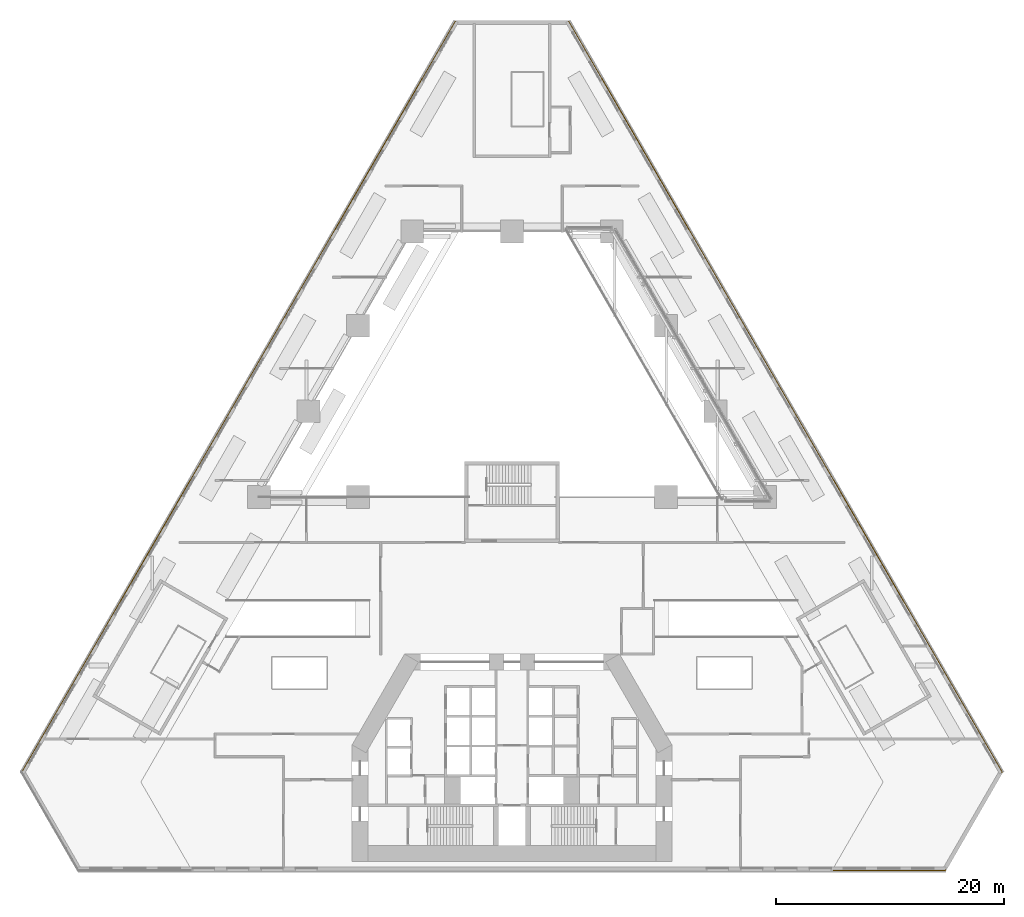
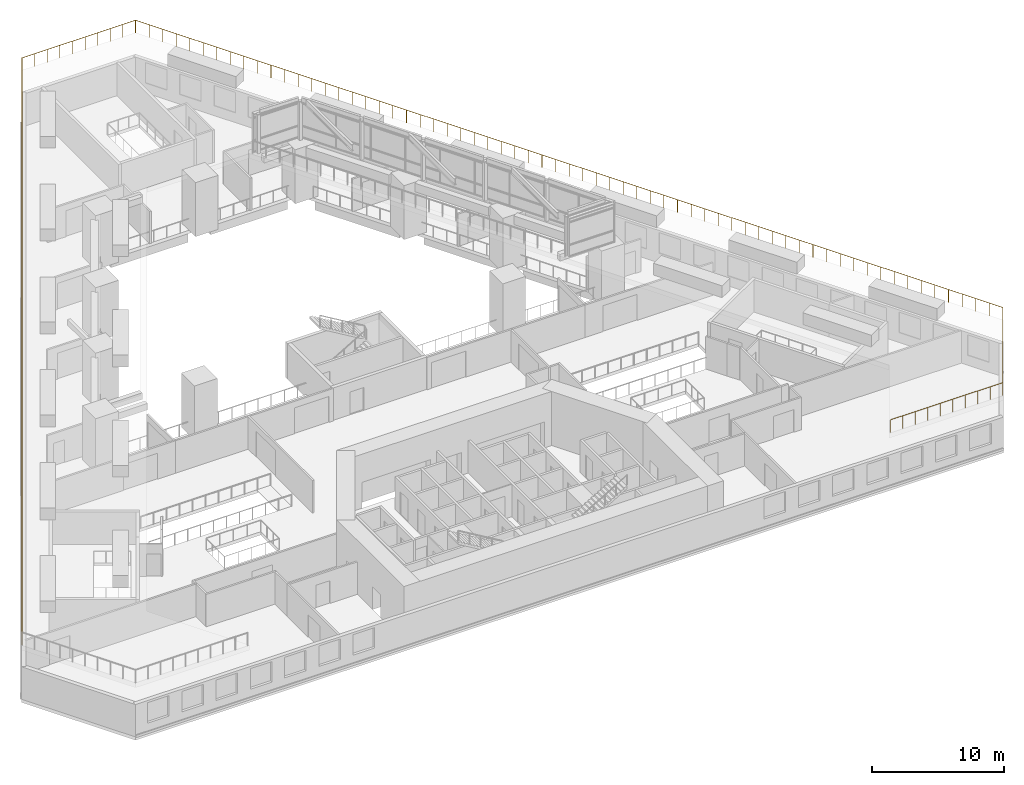
# One storey, part 18 of 19: 1 railing.
"""IFC4 building model written with IfcOpenShell, lengths in metres."""

from ifc_helpers import new_model, si_unit, direction, frame, origin, origin_2d, place, context, subcontext, project, spatial, circle, extrude, material, type_object, element, save


model = new_model("IFC4")

# Units and contexts
model_context = context("Model", 3, precision=1e-05, world=origin(), true_north=direction((0.0, 1.0)))
body_context = subcontext(model_context, "Body", "Model", "MODEL_VIEW")
ifc_project = project(units=[si_unit("LENGTHUNIT", "METRE"), si_unit("AREAUNIT", "SQUARE_METRE"), si_unit("VOLUMEUNIT", "CUBIC_METRE"), si_unit("PLANEANGLEUNIT", "RADIAN"), si_unit("MASSUNIT", "GRAM", prefix="KILO")], contexts=[model_context])

# Site, building, storey
site_placement = place(None, origin())
site = spatial("IfcSite", under=ifc_project, at=site_placement, CompositionType="ELEMENT")
building_placement = place(site_placement, origin())
building = spatial("IfcBuilding", under=site, at=building_placement, Name="Fogline Exchange Tower", CompositionType="ELEMENT")
storey_placement = place(building_placement, frame((0.0, 0.0, 20.0)))
storey = spatial("IfcBuildingStorey", under=building, at=storey_placement, Name="L03", CompositionType="ELEMENT", Elevation=20.0)

# Railing
ifc_material = material(Name="Stainless steel 304", Category="steel")
railing_type = type_object("IfcRailingType", Name="G1", PredefinedType="GUARDRAIL", material=ifc_material)
railing_placement = place(storey_placement, frame((-42.9423828125, 8.660400390625, 5.0)))
element("IfcRailing", 1, at=railing_placement, inside=storey, type_object=railing_type, Name="Guard L04 terrace", PredefinedType="GUARDRAIL", context=body_context, shape_type="SweptSolid", body=[
    extrude(circle(Radius=0.02392578125, at=origin_2d()), frame((0.0, 0.0, 1.17578125), z_axis=(0.500001200095, 0.866024710908, 0.0), x_axis=(-0.866024710908, 0.500001200095, 0.0)), (0.0, 0.0, 1.0), 75.942138671875),
    extrude(circle(Radius=0.02392578125, at=origin_2d()), frame((37.97119140625, 65.767822265625, 1.17578125), z_axis=(1.0, 0.0, 0.0), x_axis=(0.0, 1.0, 0.0)), (0.0, 0.0, 1.0), 9.9423828125),
    extrude(circle(Radius=0.02392578125, at=origin_2d()), frame((47.91357421875, 65.767822265625, 1.17578125), z_axis=(0.500001200095, -0.866024710908, 0.0), x_axis=(0.866024710908, 0.500001200095, 0.0)), (0.0, 0.0, 1.0), 75.942138671875),
    extrude(circle(Radius=0.02392578125, at=origin_2d()), frame((85.884765625, 0.0, 1.17578125), z_axis=(-0.500000197173, -0.866025289947, 0.0), x_axis=(0.866025289947, -0.500000197173, 0.0)), (0.0, 0.0, 1.0), 9.9423828125),
    extrude(circle(Radius=0.02392578125, at=origin_2d()), frame((80.91357421875, -8.6103515625, 1.17578125), z_axis=(-1.0, 0.0, 0.0), x_axis=(0.0, -1.0, 0.0)), (0.0, 0.0, 1.0), 9.826904296875),
    extrude(circle(Radius=0.02099609375, at=origin_2d()), origin(), (0.0, 0.0, 1.0), 1.15185546875),
    extrude(circle(Radius=0.02099609375, at=origin_2d()), frame((0.59326171875, 1.027587890625, 0.0)), (0.0, 0.0, 1.0), 1.15185546875),
    extrude(circle(Radius=0.02099609375, at=origin_2d()), frame((1.1865234375, 2.05517578125, 0.0)), (0.0, 0.0, 1.0), 1.15185546875),
    extrude(circle(Radius=0.02099609375, at=origin_2d()), frame((1.77978515625, 3.082763671875, 0.0)), (0.0, 0.0, 1.0), 1.15185546875),
    extrude(circle(Radius=0.02099609375, at=origin_2d()), frame((2.373291015625, 4.110595703125, 0.0)), (0.0, 0.0, 1.0), 1.15185546875),
    extrude(circle(Radius=0.02099609375, at=origin_2d()), frame((2.966552734375, 5.13818359375, 0.0)), (0.0, 0.0, 1.0), 1.15185546875),
    extrude(circle(Radius=0.02099609375, at=origin_2d()), frame((3.559814453125, 6.165771484375, 0.0)), (0.0, 0.0, 1.0), 1.15185546875),
    extrude(circle(Radius=0.02099609375, at=origin_2d()), frame((4.153076171875, 7.193359375, 0.0)), (0.0, 0.0, 1.0), 1.15185546875),
    extrude(circle(Radius=0.02099609375, at=origin_2d()), frame((4.746337890625, 8.220947265625, 0.0)), (0.0, 0.0, 1.0), 1.15185546875),
    extrude(circle(Radius=0.02099609375, at=origin_2d()), frame((5.339599609375, 9.24853515625, 0.0)), (0.0, 0.0, 1.0), 1.15185546875),
    extrude(circle(Radius=0.02099609375, at=origin_2d()), frame((5.93310546875, 10.276123046875, 0.0)), (0.0, 0.0, 1.0), 1.15185546875),
    extrude(circle(Radius=0.02099609375, at=origin_2d()), frame((6.5263671875, 11.303955078125, 0.0)), (0.0, 0.0, 1.0), 1.15185546875),
    extrude(circle(Radius=0.02099609375, at=origin_2d()), frame((7.11962890625, 12.33154296875, 0.0)), (0.0, 0.0, 1.0), 1.15185546875),
    extrude(circle(Radius=0.02099609375, at=origin_2d()), frame((7.712890625, 13.359130859375, 0.0)), (0.0, 0.0, 1.0), 1.15185546875),
    extrude(circle(Radius=0.02099609375, at=origin_2d()), frame((8.30615234375, 14.38671875, 0.0)), (0.0, 0.0, 1.0), 1.15185546875),
    extrude(circle(Radius=0.02099609375, at=origin_2d()), frame((8.8994140625, 15.414306640625, 0.0)), (0.0, 0.0, 1.0), 1.15185546875),
    extrude(circle(Radius=0.02099609375, at=origin_2d()), frame((9.49267578125, 16.44189453125, 0.0)), (0.0, 0.0, 1.0), 1.15185546875),
    extrude(circle(Radius=0.02099609375, at=origin_2d()), frame((10.086181640625, 17.469482421875, 0.0)), (0.0, 0.0, 1.0), 1.15185546875),
    extrude(circle(Radius=0.02099609375, at=origin_2d()), frame((10.679443359375, 18.497314453125, 0.0)), (0.0, 0.0, 1.0), 1.15185546875),
    extrude(circle(Radius=0.02099609375, at=origin_2d()), frame((11.272705078125, 19.52490234375, 0.0)), (0.0, 0.0, 1.0), 1.15185546875),
    extrude(circle(Radius=0.02099609375, at=origin_2d()), frame((11.865966796875, 20.552490234375, 0.0)), (0.0, 0.0, 1.0), 1.15185546875),
    extrude(circle(Radius=0.02099609375, at=origin_2d()), frame((12.459228515625, 21.580078125, 0.0)), (0.0, 0.0, 1.0), 1.15185546875),
    extrude(circle(Radius=0.02099609375, at=origin_2d()), frame((13.052490234375, 22.607666015625, 0.0)), (0.0, 0.0, 1.0), 1.15185546875),
    extrude(circle(Radius=0.02099609375, at=origin_2d()), frame((13.64599609375, 23.63525390625, 0.0)), (0.0, 0.0, 1.0), 1.15185546875),
    extrude(circle(Radius=0.02099609375, at=origin_2d()), frame((14.2392578125, 24.662841796875, 0.0)), (0.0, 0.0, 1.0), 1.15185546875),
    extrude(circle(Radius=0.02099609375, at=origin_2d()), frame((14.83251953125, 25.690673828125, 0.0)), (0.0, 0.0, 1.0), 1.15185546875),
    extrude(circle(Radius=0.02099609375, at=origin_2d()), frame((15.42578125, 26.71826171875, 0.0)), (0.0, 0.0, 1.0), 1.15185546875),
    extrude(circle(Radius=0.02099609375, at=origin_2d()), frame((16.01904296875, 27.745849609375, 0.0)), (0.0, 0.0, 1.0), 1.15185546875),
    extrude(circle(Radius=0.02099609375, at=origin_2d()), frame((16.6123046875, 28.7734375, 0.0)), (0.0, 0.0, 1.0), 1.15185546875),
    extrude(circle(Radius=0.02099609375, at=origin_2d()), frame((17.205810546875, 29.801025390625, 0.0)), (0.0, 0.0, 1.0), 1.15185546875),
    extrude(circle(Radius=0.02099609375, at=origin_2d()), frame((17.799072265625, 30.82861328125, 0.0)), (0.0, 0.0, 1.0), 1.15185546875),
    extrude(circle(Radius=0.02099609375, at=origin_2d()), frame((18.392333984375, 31.856201171875, 0.0)), (0.0, 0.0, 1.0), 1.15185546875),
    extrude(circle(Radius=0.02099609375, at=origin_2d()), frame((18.985595703125, 32.8837890625, 0.0)), (0.0, 0.0, 1.0), 1.15185546875),
    extrude(circle(Radius=0.02099609375, at=origin_2d()), frame((19.578857421875, 33.91162109375, 0.0)), (0.0, 0.0, 1.0), 1.15185546875),
    extrude(circle(Radius=0.02099609375, at=origin_2d()), frame((20.172119140625, 34.939208984375, 0.0)), (0.0, 0.0, 1.0), 1.15185546875),
    extrude(circle(Radius=0.02099609375, at=origin_2d()), frame((20.765380859375, 35.966796875, 0.0)), (0.0, 0.0, 1.0), 1.15185546875),
    extrude(circle(Radius=0.02099609375, at=origin_2d()), frame((21.35888671875, 36.994384765625, 0.0)), (0.0, 0.0, 1.0), 1.15185546875),
    extrude(circle(Radius=0.02099609375, at=origin_2d()), frame((21.9521484375, 38.02197265625, 0.0)), (0.0, 0.0, 1.0), 1.15185546875),
    extrude(circle(Radius=0.02099609375, at=origin_2d()), frame((22.54541015625, 39.049560546875, 0.0)), (0.0, 0.0, 1.0), 1.15185546875),
    extrude(circle(Radius=0.02099609375, at=origin_2d()), frame((23.138671875, 40.0771484375, 0.0)), (0.0, 0.0, 1.0), 1.15185546875),
    extrude(circle(Radius=0.02099609375, at=origin_2d()), frame((23.73193359375, 41.10498046875, 0.0)), (0.0, 0.0, 1.0), 1.15185546875),
    extrude(circle(Radius=0.02099609375, at=origin_2d()), frame((24.3251953125, 42.132568359375, 0.0)), (0.0, 0.0, 1.0), 1.15185546875),
    extrude(circle(Radius=0.02099609375, at=origin_2d()), frame((24.918701171875, 43.16015625, 0.0)), (0.0, 0.0, 1.0), 1.15185546875),
    extrude(circle(Radius=0.02099609375, at=origin_2d()), frame((25.511962890625, 44.187744140625, 0.0)), (0.0, 0.0, 1.0), 1.15185546875),
    extrude(circle(Radius=0.02099609375, at=origin_2d()), frame((26.105224609375, 45.21533203125, 0.0)), (0.0, 0.0, 1.0), 1.15185546875),
    extrude(circle(Radius=0.02099609375, at=origin_2d()), frame((26.698486328125, 46.242919921875, 0.0)), (0.0, 0.0, 1.0), 1.15185546875),
    extrude(circle(Radius=0.02099609375, at=origin_2d()), frame((27.291748046875, 47.2705078125, 0.0)), (0.0, 0.0, 1.0), 1.15185546875),
    extrude(circle(Radius=0.02099609375, at=origin_2d()), frame((27.885009765625, 48.29833984375, 0.0)), (0.0, 0.0, 1.0), 1.15185546875),
    extrude(circle(Radius=0.02099609375, at=origin_2d()), frame((28.478515625, 49.325927734375, 0.0)), (0.0, 0.0, 1.0), 1.15185546875),
    extrude(circle(Radius=0.02099609375, at=origin_2d()), frame((29.07177734375, 50.353515625, 0.0)), (0.0, 0.0, 1.0), 1.15185546875),
    extrude(circle(Radius=0.02099609375, at=origin_2d()), frame((29.6650390625, 51.381103515625, 0.0)), (0.0, 0.0, 1.0), 1.15185546875),
    extrude(circle(Radius=0.02099609375, at=origin_2d()), frame((30.25830078125, 52.40869140625, 0.0)), (0.0, 0.0, 1.0), 1.15185546875),
    extrude(circle(Radius=0.02099609375, at=origin_2d()), frame((30.8515625, 53.436279296875, 0.0)), (0.0, 0.0, 1.0), 1.15185546875),
    extrude(circle(Radius=0.02099609375, at=origin_2d()), frame((31.44482421875, 54.4638671875, 0.0)), (0.0, 0.0, 1.0), 1.15185546875),
    extrude(circle(Radius=0.02099609375, at=origin_2d()), frame((32.0380859375, 55.49169921875, 0.0)), (0.0, 0.0, 1.0), 1.15185546875),
    extrude(circle(Radius=0.02099609375, at=origin_2d()), frame((32.631591796875, 56.519287109375, 0.0)), (0.0, 0.0, 1.0), 1.15185546875),
    extrude(circle(Radius=0.02099609375, at=origin_2d()), frame((33.224853515625, 57.546875, 0.0)), (0.0, 0.0, 1.0), 1.15185546875),
    extrude(circle(Radius=0.02099609375, at=origin_2d()), frame((33.818115234375, 58.574462890625, 0.0)), (0.0, 0.0, 1.0), 1.15185546875),
    extrude(circle(Radius=0.02099609375, at=origin_2d()), frame((34.411376953125, 59.60205078125, 0.0)), (0.0, 0.0, 1.0), 1.15185546875),
    extrude(circle(Radius=0.02099609375, at=origin_2d()), frame((35.004638671875, 60.629638671875, 0.0)), (0.0, 0.0, 1.0), 1.15185546875),
    extrude(circle(Radius=0.02099609375, at=origin_2d()), frame((35.597900390625, 61.6572265625, 0.0)), (0.0, 0.0, 1.0), 1.15185546875),
    extrude(circle(Radius=0.02099609375, at=origin_2d()), frame((36.19140625, 62.68505859375, 0.0)), (0.0, 0.0, 1.0), 1.15185546875),
    extrude(circle(Radius=0.02099609375, at=origin_2d()), frame((36.78466796875, 63.712646484375, 0.0)), (0.0, 0.0, 1.0), 1.15185546875),
    extrude(circle(Radius=0.02099609375, at=origin_2d()), frame((37.3779296875, 64.740234375, 0.0)), (0.0, 0.0, 1.0), 1.15185546875),
    extrude(circle(Radius=0.02099609375, at=origin_2d()), frame((37.97119140625, 65.767822265625, 0.0)), (0.0, 0.0, 1.0), 1.15185546875),
    extrude(circle(Radius=0.02099609375, at=origin_2d()), frame((39.075927734375, 65.767822265625, 0.0)), (0.0, 0.0, 1.0), 1.15185546875),
    extrude(circle(Radius=0.02099609375, at=origin_2d()), frame((40.1806640625, 65.767822265625, 0.0)), (0.0, 0.0, 1.0), 1.15185546875),
    extrude(circle(Radius=0.02099609375, at=origin_2d()), frame((41.285400390625, 65.767822265625, 0.0)), (0.0, 0.0, 1.0), 1.15185546875),
    extrude(circle(Radius=0.02099609375, at=origin_2d()), frame((42.39013671875, 65.767822265625, 0.0)), (0.0, 0.0, 1.0), 1.15185546875),
    extrude(circle(Radius=0.02099609375, at=origin_2d()), frame((43.49462890625, 65.767822265625, 0.0)), (0.0, 0.0, 1.0), 1.15185546875),
    extrude(circle(Radius=0.02099609375, at=origin_2d()), frame((44.599365234375, 65.767822265625, 0.0)), (0.0, 0.0, 1.0), 1.15185546875),
    extrude(circle(Radius=0.02099609375, at=origin_2d()), frame((45.7041015625, 65.767822265625, 0.0)), (0.0, 0.0, 1.0), 1.15185546875),
    extrude(circle(Radius=0.02099609375, at=origin_2d()), frame((46.808837890625, 65.767822265625, 0.0)), (0.0, 0.0, 1.0), 1.15185546875),
    extrude(circle(Radius=0.02099609375, at=origin_2d()), frame((47.91357421875, 65.767822265625, 0.0)), (0.0, 0.0, 1.0), 1.15185546875),
    extrude(circle(Radius=0.02099609375, at=origin_2d()), frame((48.5068359375, 64.740234375, 0.0)), (0.0, 0.0, 1.0), 1.15185546875),
    extrude(circle(Radius=0.02099609375, at=origin_2d()), frame((49.10009765625, 63.712646484375, 0.0)), (0.0, 0.0, 1.0), 1.15185546875),
    extrude(circle(Radius=0.02099609375, at=origin_2d()), frame((49.693359375, 62.68505859375, 0.0)), (0.0, 0.0, 1.0), 1.15185546875),
    extrude(circle(Radius=0.02099609375, at=origin_2d()), frame((50.286865234375, 61.6572265625, 0.0)), (0.0, 0.0, 1.0), 1.15185546875),
    extrude(circle(Radius=0.02099609375, at=origin_2d()), frame((50.880126953125, 60.629638671875, 0.0)), (0.0, 0.0, 1.0), 1.15185546875),
    extrude(circle(Radius=0.02099609375, at=origin_2d()), frame((51.473388671875, 59.60205078125, 0.0)), (0.0, 0.0, 1.0), 1.15185546875),
    extrude(circle(Radius=0.02099609375, at=origin_2d()), frame((52.066650390625, 58.574462890625, 0.0)), (0.0, 0.0, 1.0), 1.15185546875),
    extrude(circle(Radius=0.02099609375, at=origin_2d()), frame((52.659912109375, 57.546875, 0.0)), (0.0, 0.0, 1.0), 1.15185546875),
    extrude(circle(Radius=0.02099609375, at=origin_2d()), frame((53.253173828125, 56.519287109375, 0.0)), (0.0, 0.0, 1.0), 1.15185546875),
    extrude(circle(Radius=0.02099609375, at=origin_2d()), frame((53.8466796875, 55.49169921875, 0.0)), (0.0, 0.0, 1.0), 1.15185546875),
    extrude(circle(Radius=0.02099609375, at=origin_2d()), frame((54.43994140625, 54.4638671875, 0.0)), (0.0, 0.0, 1.0), 1.15185546875),
    extrude(circle(Radius=0.02099609375, at=origin_2d()), frame((55.033203125, 53.436279296875, 0.0)), (0.0, 0.0, 1.0), 1.15185546875),
    extrude(circle(Radius=0.02099609375, at=origin_2d()), frame((55.62646484375, 52.40869140625, 0.0)), (0.0, 0.0, 1.0), 1.15185546875),
    extrude(circle(Radius=0.02099609375, at=origin_2d()), frame((56.2197265625, 51.381103515625, 0.0)), (0.0, 0.0, 1.0), 1.15185546875),
    extrude(circle(Radius=0.02099609375, at=origin_2d()), frame((56.81298828125, 50.353515625, 0.0)), (0.0, 0.0, 1.0), 1.15185546875),
    extrude(circle(Radius=0.02099609375, at=origin_2d()), frame((57.40625, 49.325927734375, 0.0)), (0.0, 0.0, 1.0), 1.15185546875),
    extrude(circle(Radius=0.02099609375, at=origin_2d()), frame((57.999755859375, 48.29833984375, 0.0)), (0.0, 0.0, 1.0), 1.15185546875),
    extrude(circle(Radius=0.02099609375, at=origin_2d()), frame((58.593017578125, 47.2705078125, 0.0)), (0.0, 0.0, 1.0), 1.15185546875),
    extrude(circle(Radius=0.02099609375, at=origin_2d()), frame((59.186279296875, 46.242919921875, 0.0)), (0.0, 0.0, 1.0), 1.15185546875),
    extrude(circle(Radius=0.02099609375, at=origin_2d()), frame((59.779541015625, 45.21533203125, 0.0)), (0.0, 0.0, 1.0), 1.15185546875),
    extrude(circle(Radius=0.02099609375, at=origin_2d()), frame((60.372802734375, 44.187744140625, 0.0)), (0.0, 0.0, 1.0), 1.15185546875),
    extrude(circle(Radius=0.02099609375, at=origin_2d()), frame((60.966064453125, 43.16015625, 0.0)), (0.0, 0.0, 1.0), 1.15185546875),
    extrude(circle(Radius=0.02099609375, at=origin_2d()), frame((61.5595703125, 42.132568359375, 0.0)), (0.0, 0.0, 1.0), 1.15185546875),
    extrude(circle(Radius=0.02099609375, at=origin_2d()), frame((62.15283203125, 41.10498046875, 0.0)), (0.0, 0.0, 1.0), 1.15185546875),
    extrude(circle(Radius=0.02099609375, at=origin_2d()), frame((62.74609375, 40.0771484375, 0.0)), (0.0, 0.0, 1.0), 1.15185546875),
    extrude(circle(Radius=0.02099609375, at=origin_2d()), frame((63.33935546875, 39.049560546875, 0.0)), (0.0, 0.0, 1.0), 1.15185546875),
    extrude(circle(Radius=0.02099609375, at=origin_2d()), frame((63.9326171875, 38.02197265625, 0.0)), (0.0, 0.0, 1.0), 1.15185546875),
    extrude(circle(Radius=0.02099609375, at=origin_2d()), frame((64.52587890625, 36.994384765625, 0.0)), (0.0, 0.0, 1.0), 1.15185546875),
    extrude(circle(Radius=0.02099609375, at=origin_2d()), frame((65.119384765625, 35.966796875, 0.0)), (0.0, 0.0, 1.0), 1.15185546875),
    extrude(circle(Radius=0.02099609375, at=origin_2d()), frame((65.712646484375, 34.939208984375, 0.0)), (0.0, 0.0, 1.0), 1.15185546875),
    extrude(circle(Radius=0.02099609375, at=origin_2d()), frame((66.305908203125, 33.91162109375, 0.0)), (0.0, 0.0, 1.0), 1.15185546875),
    extrude(circle(Radius=0.02099609375, at=origin_2d()), frame((66.899169921875, 32.8837890625, 0.0)), (0.0, 0.0, 1.0), 1.15185546875),
    extrude(circle(Radius=0.02099609375, at=origin_2d()), frame((67.492431640625, 31.856201171875, 0.0)), (0.0, 0.0, 1.0), 1.15185546875),
    extrude(circle(Radius=0.02099609375, at=origin_2d()), frame((68.085693359375, 30.82861328125, 0.0)), (0.0, 0.0, 1.0), 1.15185546875),
    extrude(circle(Radius=0.02099609375, at=origin_2d()), frame((68.678955078125, 29.801025390625, 0.0)), (0.0, 0.0, 1.0), 1.15185546875),
    extrude(circle(Radius=0.02099609375, at=origin_2d()), frame((69.2724609375, 28.7734375, 0.0)), (0.0, 0.0, 1.0), 1.15185546875),
    extrude(circle(Radius=0.02099609375, at=origin_2d()), frame((69.86572265625, 27.745849609375, 0.0)), (0.0, 0.0, 1.0), 1.15185546875),
    extrude(circle(Radius=0.02099609375, at=origin_2d()), frame((70.458984375, 26.71826171875, 0.0)), (0.0, 0.0, 1.0), 1.15185546875),
    extrude(circle(Radius=0.02099609375, at=origin_2d()), frame((71.05224609375, 25.690673828125, 0.0)), (0.0, 0.0, 1.0), 1.15185546875),
    extrude(circle(Radius=0.02099609375, at=origin_2d()), frame((71.6455078125, 24.662841796875, 0.0)), (0.0, 0.0, 1.0), 1.15185546875),
    extrude(circle(Radius=0.02099609375, at=origin_2d()), frame((72.23876953125, 23.63525390625, 0.0)), (0.0, 0.0, 1.0), 1.15185546875),
    extrude(circle(Radius=0.02099609375, at=origin_2d()), frame((72.832275390625, 22.607666015625, 0.0)), (0.0, 0.0, 1.0), 1.15185546875),
    extrude(circle(Radius=0.02099609375, at=origin_2d()), frame((73.425537109375, 21.580078125, 0.0)), (0.0, 0.0, 1.0), 1.15185546875),
    extrude(circle(Radius=0.02099609375, at=origin_2d()), frame((74.018798828125, 20.552490234375, 0.0)), (0.0, 0.0, 1.0), 1.15185546875),
    extrude(circle(Radius=0.02099609375, at=origin_2d()), frame((74.612060546875, 19.52490234375, 0.0)), (0.0, 0.0, 1.0), 1.15185546875),
    extrude(circle(Radius=0.02099609375, at=origin_2d()), frame((75.205322265625, 18.497314453125, 0.0)), (0.0, 0.0, 1.0), 1.15185546875),
    extrude(circle(Radius=0.02099609375, at=origin_2d()), frame((75.798583984375, 17.469482421875, 0.0)), (0.0, 0.0, 1.0), 1.15185546875),
    extrude(circle(Radius=0.02099609375, at=origin_2d()), frame((76.39208984375, 16.44189453125, 0.0)), (0.0, 0.0, 1.0), 1.15185546875),
    extrude(circle(Radius=0.02099609375, at=origin_2d()), frame((76.9853515625, 15.414306640625, 0.0)), (0.0, 0.0, 1.0), 1.15185546875),
    extrude(circle(Radius=0.02099609375, at=origin_2d()), frame((77.57861328125, 14.38671875, 0.0)), (0.0, 0.0, 1.0), 1.15185546875),
    extrude(circle(Radius=0.02099609375, at=origin_2d()), frame((78.171875, 13.359130859375, 0.0)), (0.0, 0.0, 1.0), 1.15185546875),
    extrude(circle(Radius=0.02099609375, at=origin_2d()), frame((78.76513671875, 12.33154296875, 0.0)), (0.0, 0.0, 1.0), 1.15185546875),
    extrude(circle(Radius=0.02099609375, at=origin_2d()), frame((79.3583984375, 11.303955078125, 0.0)), (0.0, 0.0, 1.0), 1.15185546875),
    extrude(circle(Radius=0.02099609375, at=origin_2d()), frame((79.95166015625, 10.276123046875, 0.0)), (0.0, 0.0, 1.0), 1.15185546875),
    extrude(circle(Radius=0.02099609375, at=origin_2d()), frame((80.545166015625, 9.24853515625, 0.0)), (0.0, 0.0, 1.0), 1.15185546875),
    extrude(circle(Radius=0.02099609375, at=origin_2d()), frame((81.138427734375, 8.220947265625, 0.0)), (0.0, 0.0, 1.0), 1.15185546875),
    extrude(circle(Radius=0.02099609375, at=origin_2d()), frame((81.731689453125, 7.193359375, 0.0)), (0.0, 0.0, 1.0), 1.15185546875),
    extrude(circle(Radius=0.02099609375, at=origin_2d()), frame((82.324951171875, 6.165771484375, 0.0)), (0.0, 0.0, 1.0), 1.15185546875),
    extrude(circle(Radius=0.02099609375, at=origin_2d()), frame((82.918212890625, 5.13818359375, 0.0)), (0.0, 0.0, 1.0), 1.15185546875),
    extrude(circle(Radius=0.02099609375, at=origin_2d()), frame((83.511474609375, 4.110595703125, 0.0)), (0.0, 0.0, 1.0), 1.15185546875),
    extrude(circle(Radius=0.02099609375, at=origin_2d()), frame((84.10498046875, 3.082763671875, 0.0)), (0.0, 0.0, 1.0), 1.15185546875),
    extrude(circle(Radius=0.02099609375, at=origin_2d()), frame((84.6982421875, 2.05517578125, 0.0)), (0.0, 0.0, 1.0), 1.15185546875),
    extrude(circle(Radius=0.02099609375, at=origin_2d()), frame((85.29150390625, 1.027587890625, 0.0)), (0.0, 0.0, 1.0), 1.15185546875),
    extrude(circle(Radius=0.02099609375, at=origin_2d()), frame((85.884765625, 0.0, 0.0)), (0.0, 0.0, 1.0), 1.15185546875),
    extrude(circle(Radius=0.02099609375, at=origin_2d()), frame((85.33251953125, -0.956787109375, 0.0)), (0.0, 0.0, 1.0), 1.15185546875),
    extrude(circle(Radius=0.02099609375, at=origin_2d()), frame((84.780029296875, -1.913330078125, 0.0)), (0.0, 0.0, 1.0), 1.15185546875),
    extrude(circle(Radius=0.02099609375, at=origin_2d()), frame((84.227783203125, -2.8701171875, 0.0)), (0.0, 0.0, 1.0), 1.15185546875),
    extrude(circle(Radius=0.02099609375, at=origin_2d()), frame((83.67529296875, -3.826904296875, 0.0)), (0.0, 0.0, 1.0), 1.15185546875),
    extrude(circle(Radius=0.02099609375, at=origin_2d()), frame((83.123046875, -4.783447265625, 0.0)), (0.0, 0.0, 1.0), 1.15185546875),
    extrude(circle(Radius=0.02099609375, at=origin_2d()), frame((82.570556640625, -5.740234375, 0.0)), (0.0, 0.0, 1.0), 1.15185546875),
    extrude(circle(Radius=0.02099609375, at=origin_2d()), frame((82.018310546875, -6.697021484375, 0.0)), (0.0, 0.0, 1.0), 1.15185546875),
    extrude(circle(Radius=0.02099609375, at=origin_2d()), frame((81.4658203125, -7.653564453125, 0.0)), (0.0, 0.0, 1.0), 1.15185546875),
    extrude(circle(Radius=0.02099609375, at=origin_2d()), frame((80.91357421875, -8.6103515625, 0.0)), (0.0, 0.0, 1.0), 1.15185546875),
    extrude(circle(Radius=0.02099609375, at=origin_2d()), frame((79.82177734375, -8.6103515625, 0.0)), (0.0, 0.0, 1.0), 1.15185546875),
    extrude(circle(Radius=0.02099609375, at=origin_2d()), frame((78.729736328125, -8.6103515625, 0.0)), (0.0, 0.0, 1.0), 1.15185546875),
    extrude(circle(Radius=0.02099609375, at=origin_2d()), frame((77.637939453125, -8.6103515625, 0.0)), (0.0, 0.0, 1.0), 1.15185546875),
    extrude(circle(Radius=0.02099609375, at=origin_2d()), frame((76.546142578125, -8.6103515625, 0.0)), (0.0, 0.0, 1.0), 1.15185546875),
    extrude(circle(Radius=0.02099609375, at=origin_2d()), frame((75.4541015625, -8.6103515625, 0.0)), (0.0, 0.0, 1.0), 1.15185546875),
    extrude(circle(Radius=0.02099609375, at=origin_2d()), frame((74.3623046875, -8.6103515625, 0.0)), (0.0, 0.0, 1.0), 1.15185546875),
    extrude(circle(Radius=0.02099609375, at=origin_2d()), frame((73.2705078125, -8.6103515625, 0.0)), (0.0, 0.0, 1.0), 1.15185546875),
    extrude(circle(Radius=0.02099609375, at=origin_2d()), frame((72.178466796875, -8.6103515625, 0.0)), (0.0, 0.0, 1.0), 1.15185546875),
    extrude(circle(Radius=0.02099609375, at=origin_2d()), frame((71.086669921875, -8.6103515625, 0.0)), (0.0, 0.0, 1.0), 1.15185546875),
])

save(model, "model.ifc")
